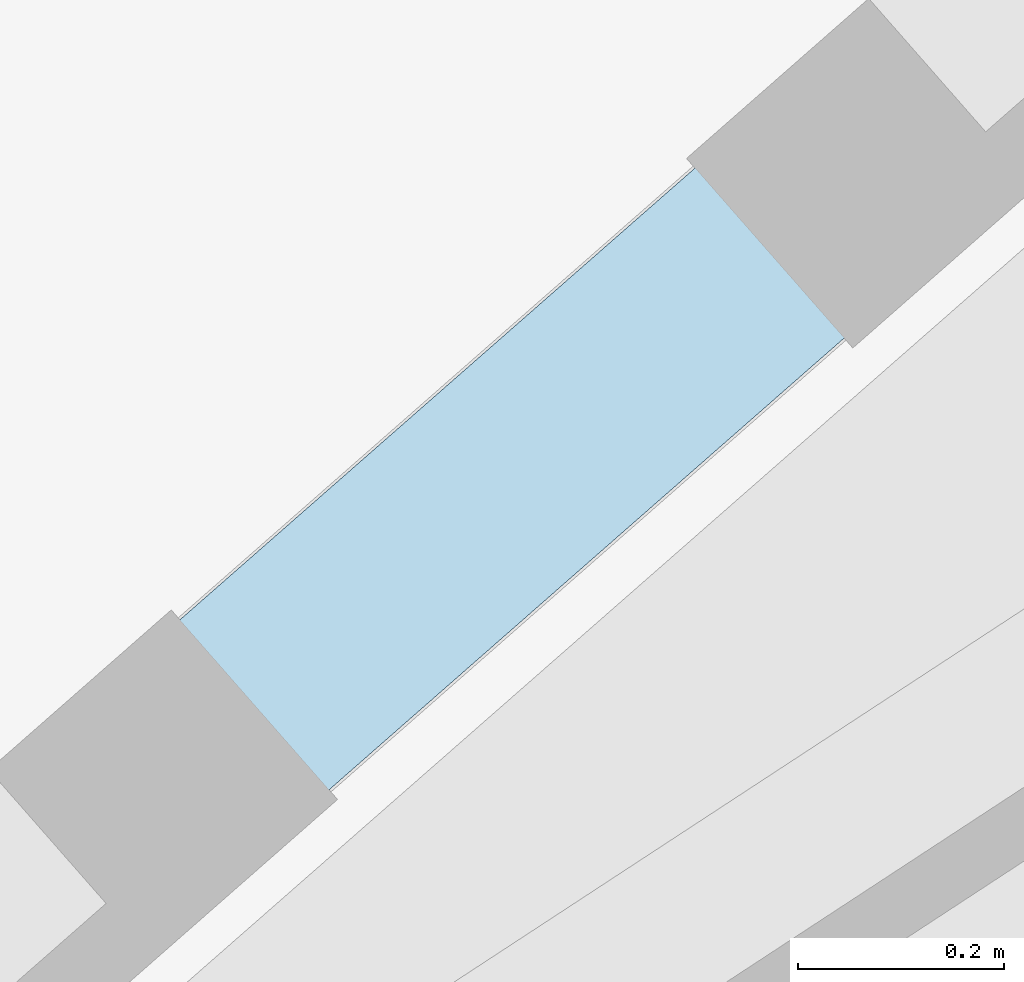
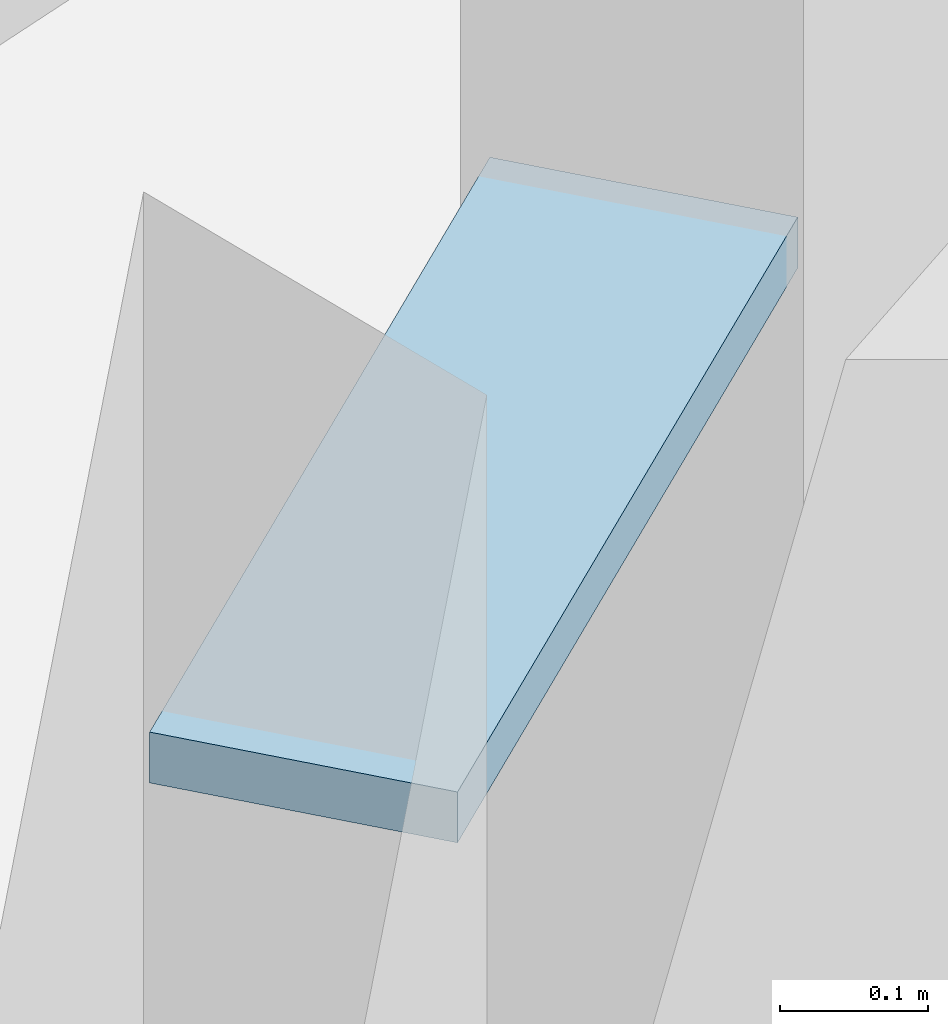
# One storey, part 34 of 51: 1 plate.
"""IFC4 building model written with IfcOpenShell, lengths in metres."""

from ifc_helpers import new_model, si_unit, direction, frame, origin, origin_2d, place, context, subcontext, project, spatial, rectangle, extrude, material, layer, layer_set, type_object, element, save


model = new_model("IFC4")

# Units and contexts
model_context = context("Model", 3, precision=1e-05, world=origin(), true_north=direction((0.0, 1.0)))
body_context = subcontext(model_context, "Body", "Model", "MODEL_VIEW")
ifc_project = project(units=[si_unit("LENGTHUNIT", "METRE"), si_unit("AREAUNIT", "SQUARE_METRE"), si_unit("VOLUMEUNIT", "CUBIC_METRE"), si_unit("PLANEANGLEUNIT", "RADIAN"), si_unit("MASSUNIT", "GRAM", prefix="KILO")], contexts=[model_context])

# Site, building, storey
site_placement = place(None, origin())
site = spatial("IfcSite", under=ifc_project, at=site_placement, CompositionType="ELEMENT")
building_placement = place(site_placement, origin())
building = spatial("IfcBuilding", under=site, at=building_placement, Name="Wrenclough Park School", CompositionType="ELEMENT")
storey_placement = place(building_placement, frame((0.0, 0.0, 16.800048828125)))
storey = spatial("IfcBuildingStorey", under=building, at=storey_placement, Name="L04", CompositionType="ELEMENT", Elevation=16.800048828125)

# Plate
ifc_material = material(Name="Anodised architectural aluminium solar shading fin plate", Category="aluminium")
ifc_layer = layer(ifc_material, 0.0380859375)
ifc_layer_set = layer_set([ifc_layer], Name="Anodised architectural aluminium solar shading fin plate")
plate_type = type_object("IfcPlateType", Name="ENV-PL-BSF", PredefinedType="SHEET", material=ifc_layer_set)
plate_placement = place(storey_placement, frame((166.494384765625, 104.503173828125, 2.60595703125), z_axis=(0.0, 0.0, 1.0), x_axis=(-0.751826155668, -0.659361381682, 0.0)))
element("IfcPlate", 1, at=plate_placement, inside=storey, type_object=plate_type, Name="D5 L04 open-bond brick screen tie band 0715", PredefinedType="SHEET", context=body_context, shape_type="SweptSolid", body=[
    extrude(rectangle(XDim=0.716064453125, YDim=0.219970703125, at=origin_2d()), origin(), (0.0, 0.0, 1.0), 0.0419921875),
])

save(model, "model.ifc")
